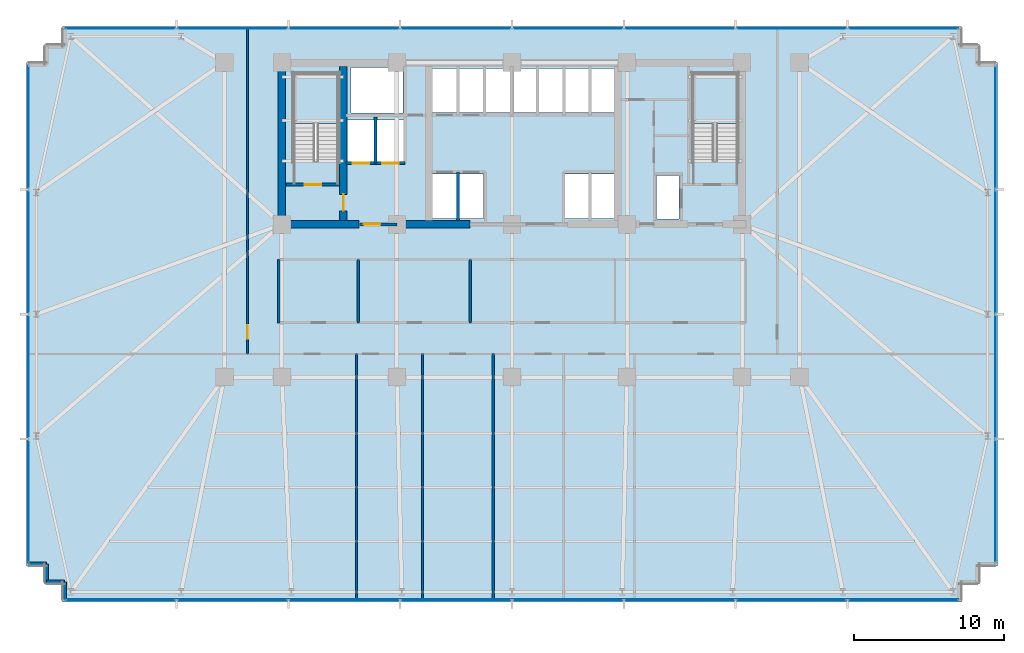
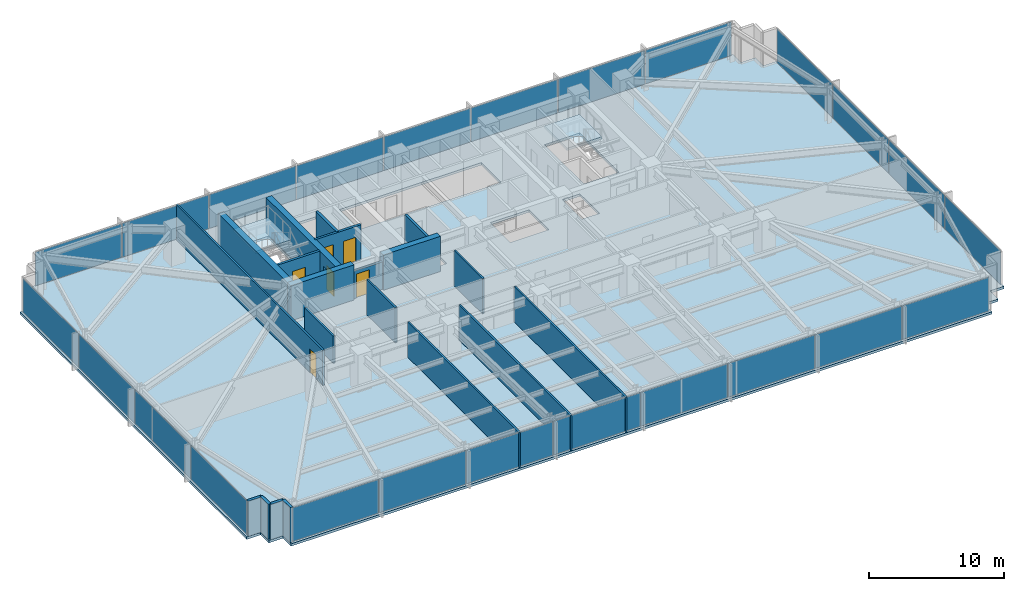
# One storey, part 24 of 32: 24 plates, 20 walls, 6 doors, 3 slabs, 6 openings, 6 elements without a shape of their own.
"""IFC4 building model written with IfcOpenShell, lengths in metres."""

from ifc_helpers import new_model, si_unit, direction, frame, frame_2d, origin, origin_2d, place, context, subcontext, project, spatial, polyline, rectangle, outline, extrude, material, layer, layer_set, type_object, element, fill, aggregate, save


model = new_model("IFC4")

# Units and contexts
model_context = context("Model", 3, precision=1e-05, world=origin(), true_north=direction((0.0, 1.0)))
body_context = subcontext(model_context, "Body", "Model", "MODEL_VIEW")
ifc_project = project(units=[si_unit("LENGTHUNIT", "METRE"), si_unit("AREAUNIT", "SQUARE_METRE"), si_unit("VOLUMEUNIT", "CUBIC_METRE"), si_unit("PLANEANGLEUNIT", "RADIAN"), si_unit("MASSUNIT", "GRAM", prefix="KILO")], contexts=[model_context])

# Site, building, storey
site_placement = place(None, origin())
site = spatial("IfcSite", under=ifc_project, at=site_placement, CompositionType="ELEMENT")
building_placement = place(site_placement, origin())
building = spatial("IfcBuilding", under=site, at=building_placement, Name="Yelkora Congress Tower", CompositionType="ELEMENT")
storey_placement = place(building_placement, frame((0.0, 0.0, 57.60009765625)))
storey = spatial("IfcBuildingStorey", under=building, at=storey_placement, Name="L14", CompositionType="ELEMENT", Elevation=57.60009765625)

# Curtain wall, plates
ifc_material_1 = material(Name="Anodised aluminium and insulated glass", Category="aluminium")
curtain_wall_type = type_object("IfcCurtainWallType", Name="CW-SYS-B1", PredefinedType="NOTDEFINED", material=ifc_material_1)
curtain_wall_1_placement = place(storey_placement, origin())
curtain_wall_1 = element("IfcCurtainWall", 1, at=curtain_wall_1_placement, inside=storey, type_object=curtain_wall_type, Name="L14 Unitised Curtain Wall 5", PredefinedType="NOTDEFINED")
ifc_material_2 = material(Name="Solar-control low-E glass unit B1", Category="glass")
ifc_layer_1 = layer(ifc_material_2, 0.0400390625)
ifc_layer_set_1 = layer_set([ifc_layer_1], Name="Solar-control low-E glass unit B1")
plate_type = type_object("IfcPlateType", Name="PLT-PN-B1", PredefinedType="CURTAIN_PANEL", material=ifc_layer_set_1)
plate_1_placement = place(storey_placement, frame((6.139892578125, 16.923828125, 0.06494140625), z_axis=(0.0, 0.0, 1.0), x_axis=(0.0, 1.0, 0.0)))
plate_1 = element("IfcPlate", 2, at=plate_1_placement, type_object=plate_type, Name="CW-B1 panel 1.1", PredefinedType="CURTAIN_PANEL", context=body_context, shape_type="SweptSolid", body=[
    extrude(rectangle(XDim=8.217529296875, YDim=0.0400390625, at=origin_2d()), origin(), (0.0, 0.0, 1.0), 3.050048828125),
])
plate_2_placement = place(storey_placement, frame((6.139892578125, 25.235107421875, 0.06494140625), z_axis=(0.0, 0.0, 1.0), x_axis=(0.0, 1.0, 0.0)))
plate_2 = element("IfcPlate", 3, at=plate_2_placement, type_object=plate_type, Name="CW-B1 panel 2.1", PredefinedType="CURTAIN_PANEL", context=body_context, shape_type="SweptSolid", body=[
    extrude(rectangle(XDim=8.2548828125, YDim=0.0400390625, at=origin_2d()), origin(), (0.0, 0.0, 1.0), 3.050048828125),
])
plate_3_placement = place(storey_placement, frame((6.139892578125, 33.56494140625, 0.06494140625), z_axis=(0.0, 0.0, 1.0), x_axis=(0.0, 1.0, 0.0)))
plate_3 = element("IfcPlate", 4, at=plate_3_placement, type_object=plate_type, Name="CW-B1 panel 3.1", PredefinedType="CURTAIN_PANEL", context=body_context, shape_type="SweptSolid", body=[
    extrude(rectangle(XDim=8.2548828125, YDim=0.0400390625, at=origin_2d()), origin(), (0.0, 0.0, 1.0), 3.050048828125),
])
plate_4_placement = place(storey_placement, frame((6.139892578125, 41.876220703125, 0.06494140625), z_axis=(0.0, 0.0, 1.0), x_axis=(0.0, 1.0, 0.0)))
plate_4 = element("IfcPlate", 5, at=plate_4_placement, type_object=plate_type, Name="CW-B1 panel 4.1", PredefinedType="CURTAIN_PANEL", context=body_context, shape_type="SweptSolid", body=[
    extrude(rectangle(XDim=8.217529296875, YDim=0.0400390625, at=origin_2d()), origin(), (0.0, 0.0, 1.0), 3.050048828125),
])
aggregate(curtain_wall_1, [plate_1, plate_2, plate_3, plate_4])

curtain_wall_2_placement = place(storey_placement, origin())
curtain_wall_2 = element("IfcCurtainWall", 6, at=curtain_wall_2_placement, inside=storey, type_object=curtain_wall_type, Name="L14 Unitised Curtain Wall 10", PredefinedType="NOTDEFINED")
plate_5_placement = place(storey_placement, frame((12.291259765625, 48.4599609375, 0.06494140625), z_axis=(0.0, 0.0, 1.0), x_axis=(1.0, 0.0, 0.0)))
plate_5 = element("IfcPlate", 7, at=plate_5_placement, type_object=plate_type, Name="CW-B1 panel 1.1", PredefinedType="CURTAIN_PANEL", context=body_context, shape_type="SweptSolid", body=[
    extrude(rectangle(XDim=7.3525390625, YDim=0.0400390625, at=origin_2d()), origin(), (0.0, 0.0, 1.0), 3.050048828125),
])
plate_6_placement = place(storey_placement, frame((19.737548828125, 48.4599609375, 0.06494140625), z_axis=(0.0, 0.0, 1.0), x_axis=(1.0, 0.0, 0.0)))
plate_6 = element("IfcPlate", 8, at=plate_6_placement, type_object=plate_type, Name="CW-B1 panel 2.1", PredefinedType="CURTAIN_PANEL", context=body_context, shape_type="SweptSolid", body=[
    extrude(rectangle(XDim=7.389892578125, YDim=0.0400390625, at=origin_2d()), origin(), (0.0, 0.0, 1.0), 3.050048828125),
])
plate_7_placement = place(storey_placement, frame((27.202392578125, 48.4599609375, 0.06494140625), z_axis=(0.0, 0.0, 1.0), x_axis=(1.0, 0.0, 0.0)))
plate_7 = element("IfcPlate", 9, at=plate_7_placement, type_object=plate_type, Name="CW-B1 panel 3.1", PredefinedType="CURTAIN_PANEL", context=body_context, shape_type="SweptSolid", body=[
    extrude(rectangle(XDim=7.389892578125, YDim=0.0400390625, at=origin_2d()), origin(), (0.0, 0.0, 1.0), 3.050048828125),
])
plate_8_placement = place(storey_placement, frame((34.66748046875, 48.4599609375, 0.06494140625), z_axis=(0.0, 0.0, 1.0), x_axis=(1.0, 0.0, 0.0)))
plate_8 = element("IfcPlate", 10, at=plate_8_placement, type_object=plate_type, Name="CW-B1 panel 4.1", PredefinedType="CURTAIN_PANEL", context=body_context, shape_type="SweptSolid", body=[
    extrude(rectangle(XDim=7.389892578125, YDim=0.0400390625, at=origin_2d()), origin(), (0.0, 0.0, 1.0), 3.050048828125),
])
plate_9_placement = place(storey_placement, frame((42.132568359375, 48.4599609375, 0.06494140625), z_axis=(0.0, 0.0, 1.0), x_axis=(1.0, 0.0, 0.0)))
plate_9 = element("IfcPlate", 11, at=plate_9_placement, type_object=plate_type, Name="CW-B1 panel 5.1", PredefinedType="CURTAIN_PANEL", context=body_context, shape_type="SweptSolid", body=[
    extrude(rectangle(XDim=7.389892578125, YDim=0.0400390625, at=origin_2d()), origin(), (0.0, 0.0, 1.0), 3.050048828125),
])
plate_10_placement = place(storey_placement, frame((49.597412109375, 48.4599609375, 0.06494140625), z_axis=(0.0, 0.0, 1.0), x_axis=(1.0, 0.0, 0.0)))
plate_10 = element("IfcPlate", 12, at=plate_10_placement, type_object=plate_type, Name="CW-B1 panel 6.1", PredefinedType="CURTAIN_PANEL", context=body_context, shape_type="SweptSolid", body=[
    extrude(rectangle(XDim=7.389892578125, YDim=0.0400390625, at=origin_2d()), origin(), (0.0, 0.0, 1.0), 3.050048828125),
])
plate_11_placement = place(storey_placement, frame((57.0625, 48.4599609375, 0.06494140625), z_axis=(0.0, 0.0, 1.0), x_axis=(1.0, 0.0, 0.0)))
plate_11 = element("IfcPlate", 13, at=plate_11_placement, type_object=plate_type, Name="CW-B1 panel 7.1", PredefinedType="CURTAIN_PANEL", context=body_context, shape_type="SweptSolid", body=[
    extrude(rectangle(XDim=7.389892578125, YDim=0.0400390625, at=origin_2d()), origin(), (0.0, 0.0, 1.0), 3.050048828125),
])
plate_12_placement = place(storey_placement, frame((64.5087890625, 48.4599609375, 0.06494140625), z_axis=(0.0, 0.0, 1.0), x_axis=(1.0, 0.0, 0.0)))
plate_12 = element("IfcPlate", 14, at=plate_12_placement, type_object=plate_type, Name="CW-B1 panel 8.1", PredefinedType="CURTAIN_PANEL", context=body_context, shape_type="SweptSolid", body=[
    extrude(rectangle(XDim=7.3525390625, YDim=0.0400390625, at=origin_2d()), origin(), (0.0, 0.0, 1.0), 3.050048828125),
])
aggregate(curtain_wall_2, [plate_5, plate_6, plate_7, plate_8, plate_9, plate_10, plate_11, plate_12])

curtain_wall_3_placement = place(storey_placement, origin())
curtain_wall_3 = element("IfcCurtainWall", 15, at=curtain_wall_3_placement, inside=storey, type_object=curtain_wall_type, Name="L14 Unitised Curtain Wall 15", PredefinedType="NOTDEFINED")
plate_13_placement = place(storey_placement, frame((70.659912109375, 41.876220703125, 0.06494140625), z_axis=(0.0, 0.0, 1.0), x_axis=(0.0, -1.0, 0.0)))
plate_13 = element("IfcPlate", 16, at=plate_13_placement, type_object=plate_type, Name="CW-B1 panel 1.1", PredefinedType="CURTAIN_PANEL", context=body_context, shape_type="SweptSolid", body=[
    extrude(rectangle(XDim=8.217529296875, YDim=0.0400390625, at=origin_2d()), origin(), (0.0, 0.0, 1.0), 3.050048828125),
])
plate_14_placement = place(storey_placement, frame((70.659912109375, 33.56494140625, 0.06494140625), z_axis=(0.0, 0.0, 1.0), x_axis=(0.0, -1.0, 0.0)))
plate_14 = element("IfcPlate", 17, at=plate_14_placement, type_object=plate_type, Name="CW-B1 panel 2.1", PredefinedType="CURTAIN_PANEL", context=body_context, shape_type="SweptSolid", body=[
    extrude(rectangle(XDim=8.2548828125, YDim=0.0400390625, at=origin_2d()), origin(), (0.0, 0.0, 1.0), 3.050048828125),
])
plate_15_placement = place(storey_placement, frame((70.659912109375, 25.235107421875, 0.06494140625), z_axis=(0.0, 0.0, 1.0), x_axis=(0.0, -1.0, 0.0)))
plate_15 = element("IfcPlate", 18, at=plate_15_placement, type_object=plate_type, Name="CW-B1 panel 3.1", PredefinedType="CURTAIN_PANEL", context=body_context, shape_type="SweptSolid", body=[
    extrude(rectangle(XDim=8.2548828125, YDim=0.0400390625, at=origin_2d()), origin(), (0.0, 0.0, 1.0), 3.050048828125),
])
plate_16_placement = place(storey_placement, frame((70.659912109375, 16.923828125, 0.06494140625), z_axis=(0.0, 0.0, 1.0), x_axis=(0.0, -1.0, 0.0)))
plate_16 = element("IfcPlate", 19, at=plate_16_placement, type_object=plate_type, Name="CW-B1 panel 4.1", PredefinedType="CURTAIN_PANEL", context=body_context, shape_type="SweptSolid", body=[
    extrude(rectangle(XDim=8.217529296875, YDim=0.0400390625, at=origin_2d()), origin(), (0.0, 0.0, 1.0), 3.050048828125),
])
aggregate(curtain_wall_3, [plate_13, plate_14, plate_15, plate_16])

curtain_wall_4_placement = place(storey_placement, origin())
curtain_wall_4 = element("IfcCurtainWall", 20, at=curtain_wall_4_placement, inside=storey, type_object=curtain_wall_type, Name="L14 Unitised Curtain Wall 20", PredefinedType="NOTDEFINED")
plate_17_placement = place(storey_placement, frame((64.5087890625, 10.340087890625, 0.06494140625), z_axis=(0.0, 0.0, 1.0), x_axis=(-1.0, 0.0, 0.0)))
plate_17 = element("IfcPlate", 21, at=plate_17_placement, type_object=plate_type, Name="CW-B1 panel 1.1", PredefinedType="CURTAIN_PANEL", context=body_context, shape_type="SweptSolid", body=[
    extrude(rectangle(XDim=7.3525390625, YDim=0.0400390625, at=origin_2d()), origin(), (0.0, 0.0, 1.0), 3.050048828125),
])
plate_18_placement = place(storey_placement, frame((57.0625, 10.340087890625, 0.06494140625), z_axis=(0.0, 0.0, 1.0), x_axis=(-1.0, 0.0, 0.0)))
plate_18 = element("IfcPlate", 22, at=plate_18_placement, type_object=plate_type, Name="CW-B1 panel 2.1", PredefinedType="CURTAIN_PANEL", context=body_context, shape_type="SweptSolid", body=[
    extrude(rectangle(XDim=7.389892578125, YDim=0.0400390625, at=origin_2d()), origin(), (0.0, 0.0, 1.0), 3.050048828125),
])
plate_19_placement = place(storey_placement, frame((49.597412109375, 10.340087890625, 0.06494140625), z_axis=(0.0, 0.0, 1.0), x_axis=(-1.0, 0.0, 0.0)))
plate_19 = element("IfcPlate", 23, at=plate_19_placement, type_object=plate_type, Name="CW-B1 panel 3.1", PredefinedType="CURTAIN_PANEL", context=body_context, shape_type="SweptSolid", body=[
    extrude(rectangle(XDim=7.389892578125, YDim=0.0400390625, at=origin_2d()), origin(), (0.0, 0.0, 1.0), 3.050048828125),
])
plate_20_placement = place(storey_placement, frame((42.132568359375, 10.340087890625, 0.06494140625), z_axis=(0.0, 0.0, 1.0), x_axis=(-1.0, 0.0, 0.0)))
plate_20 = element("IfcPlate", 24, at=plate_20_placement, type_object=plate_type, Name="CW-B1 panel 4.1", PredefinedType="CURTAIN_PANEL", context=body_context, shape_type="SweptSolid", body=[
    extrude(rectangle(XDim=7.389892578125, YDim=0.0400390625, at=origin_2d()), origin(), (0.0, 0.0, 1.0), 3.050048828125),
])
plate_21_placement = place(storey_placement, frame((34.66748046875, 10.340087890625, 0.06494140625), z_axis=(0.0, 0.0, 1.0), x_axis=(-1.0, 0.0, 0.0)))
plate_21 = element("IfcPlate", 25, at=plate_21_placement, type_object=plate_type, Name="CW-B1 panel 5.1", PredefinedType="CURTAIN_PANEL", context=body_context, shape_type="SweptSolid", body=[
    extrude(rectangle(XDim=7.389892578125, YDim=0.0400390625, at=origin_2d()), origin(), (0.0, 0.0, 1.0), 3.050048828125),
])
plate_22_placement = place(storey_placement, frame((27.202392578125, 10.340087890625, 0.06494140625), z_axis=(0.0, 0.0, 1.0), x_axis=(-1.0, 0.0, 0.0)))
plate_22 = element("IfcPlate", 26, at=plate_22_placement, type_object=plate_type, Name="CW-B1 panel 6.1", PredefinedType="CURTAIN_PANEL", context=body_context, shape_type="SweptSolid", body=[
    extrude(rectangle(XDim=7.389892578125, YDim=0.0400390625, at=origin_2d()), origin(), (0.0, 0.0, 1.0), 3.050048828125),
])
plate_23_placement = place(storey_placement, frame((19.737548828125, 10.340087890625, 0.06494140625), z_axis=(0.0, 0.0, 1.0), x_axis=(-1.0, 0.0, 0.0)))
plate_23 = element("IfcPlate", 27, at=plate_23_placement, type_object=plate_type, Name="CW-B1 panel 7.1", PredefinedType="CURTAIN_PANEL", context=body_context, shape_type="SweptSolid", body=[
    extrude(rectangle(XDim=7.389892578125, YDim=0.0400390625, at=origin_2d()), origin(), (0.0, 0.0, 1.0), 3.050048828125),
])
plate_24_placement = place(storey_placement, frame((12.291259765625, 10.340087890625, 0.06494140625), z_axis=(0.0, 0.0, 1.0), x_axis=(-1.0, 0.0, 0.0)))
plate_24 = element("IfcPlate", 28, at=plate_24_placement, type_object=plate_type, Name="CW-B1 panel 8.1", PredefinedType="CURTAIN_PANEL", context=body_context, shape_type="SweptSolid", body=[
    extrude(rectangle(XDim=7.3525390625, YDim=0.0400390625, at=origin_2d()), origin(), (0.0, 0.0, 1.0), 3.050048828125),
])
aggregate(curtain_wall_4, [plate_17, plate_18, plate_19, plate_20, plate_21, plate_22, plate_23, plate_24])

# Stair, slab
ifc_material_3 = material(Name="Concrete C40/50", Category="concrete")
stair_type = type_object("IfcStairType", Name="STAIR-HT-1420-R20-170", PredefinedType="HALF_TURN_STAIR", material=ifc_material_3)
stair_1_placement = place(storey_placement, origin())
stair_1 = element("IfcStair", 29, at=stair_1_placement, inside=storey, type_object=stair_type, Name="West Core Protected Exit Stair ST-01 (L14)", PredefinedType="HALF_TURN_STAIR")
ifc_layer_2 = layer(ifc_material_3, 0.219970703125)
ifc_layer_set_2 = layer_set([ifc_layer_2], Name="Concrete C40/50")
slab_type_1 = type_object("IfcSlabType", Name="SLAB-LANDING-220", PredefinedType="LANDING", material=ifc_layer_set_2)
slab_1_placement = place(storey_placement, frame((0.0, 0.0, 1.47998046875)))
slab_1 = element("IfcSlab", 30, at=slab_1_placement, type_object=slab_type_1, Name="ST-01 L14 Half Landing 1", PredefinedType="LANDING", context=body_context, shape_type="SweptSolid", body=[
    extrude(outline(polyline([(26.820068359375, 42.1201171875), (26.820068359375, 45.469970703125), (23.820068359375, 45.469970703125), (23.820068359375, 42.1201171875), (26.820068359375, 42.1201171875)])), origin(), (0.0, 0.0, 1.0), 0.219970703125),
])
aggregate(stair_1, [slab_1])

stair_2_placement = place(storey_placement, origin())
stair_2 = element("IfcStair", 31, at=stair_2_placement, inside=storey, type_object=stair_type, Name="East Core Protected Exit Stair ST-02 (L14)", PredefinedType="HALF_TURN_STAIR")
slab_2_placement = place(storey_placement, frame((0.0, 0.0, 1.47998046875)))
slab_2 = element("IfcSlab", 32, at=slab_2_placement, type_object=slab_type_1, Name="ST-02 L14 Half Landing 1", PredefinedType="LANDING", context=body_context, shape_type="SweptSolid", body=[
    extrude(outline(polyline([(53.4599609375, 42.1201171875), (53.4599609375, 45.469970703125), (50.4599609375, 45.469970703125), (50.4599609375, 42.1201171875), (53.4599609375, 42.1201171875)])), origin(), (0.0, 0.0, 1.0), 0.219970703125),
])
aggregate(stair_2, [slab_2])

# Slab
ifc_layer_3 = layer(ifc_material_3, 0.219970703125)
ifc_layer_set_3 = layer_set([ifc_layer_3], Name="Concrete C40/50")
slab_type_2 = type_object("IfcSlabType", Name="SLAB-TWR-220", PredefinedType="FLOOR", material=ifc_layer_set_3)
slab_3_placement = place(storey_placement, frame((0.0, 0.0, -0.22021484375)))
element("IfcSlab", 33, at=slab_3_placement, inside=storey, type_object=slab_type_2, Name="L14 Structural Floor Slab", PredefinedType="FLOOR", context=body_context, shape_type="SweptSolid", body=[
    extrude(outline(polyline([(8.39990234375, 10.199951171875), (68.39990234375, 10.199951171875), (68.39990234375, 11.39990234375), (69.60009765625, 11.39990234375), (69.60009765625, 12.60009765625), (70.800048828125, 12.60009765625), (70.800048828125, 46.199951171875), (69.60009765625, 46.199951171875), (69.60009765625, 47.39990234375), (68.39990234375, 47.39990234375), (68.39990234375, 48.60009765625), (8.39990234375, 48.60009765625), (8.39990234375, 47.39990234375), (7.199951171875, 47.39990234375), (7.199951171875, 46.199951171875), (6.0, 46.199951171875), (6.0, 12.60009765625), (7.199951171875, 12.60009765625), (7.199951171875, 11.39990234375), (8.39990234375, 11.39990234375), (8.39990234375, 10.199951171875)]), holes=[polyline([(23.820068359375, 39.6298828125), (26.820068359375, 39.6298828125), (26.820068359375, 45.469970703125), (23.820068359375, 45.469970703125), (23.820068359375, 39.6298828125)]), polyline([(50.4599609375, 39.6298828125), (53.4599609375, 39.6298828125), (53.4599609375, 45.469970703125), (50.4599609375, 45.469970703125), (50.4599609375, 39.6298828125)]), polyline([(48.050048828125, 35.75), (49.550048828125, 35.75), (49.550048828125, 38.64990234375), (48.050048828125, 38.64990234375), (48.050048828125, 35.75)]), polyline([(41.949951171875, 35.800048828125), (45.25, 35.800048828125), (45.25, 38.75), (41.949951171875, 38.75), (41.949951171875, 35.800048828125)]), polyline([(33.10009765625, 42.85009765625), (45.25, 42.85009765625), (45.25, 45.800048828125), (33.10009765625, 45.800048828125), (33.10009765625, 42.85009765625)]), polyline([(33.10009765625, 35.800048828125), (36.5, 35.800048828125), (36.5, 38.75), (33.10009765625, 38.75), (33.10009765625, 35.800048828125)]), polyline([(27.419921875, 39.60009765625), (31.179931640625, 39.60009765625), (31.179931640625, 42.35009765625), (27.419921875, 42.35009765625), (27.419921875, 39.60009765625)]), polyline([(27.64990234375, 42.820068359375), (31.1201171875, 42.820068359375), (31.1201171875, 45.8798828125), (27.64990234375, 45.8798828125), (27.64990234375, 42.820068359375)])]), origin(), (0.0, 0.0, 1.0), 0.22021484375),
])

# Walls
ifc_material_4 = material(Name="Concrete C60/75", Category="concrete")
ifc_layer_4 = layer(ifc_material_4, 0.5)
ifc_layer_set_4 = layer_set([ifc_layer_4], Name="Concrete C60/75")
wall_type_1 = type_object("IfcWallType", Name="WALL-CORE-INT-500", PredefinedType="SHEAR", material=ifc_layer_set_4)
wall_1_placement = place(storey_placement, frame((22.7900390625, 35.39990234375, 0.0), z_axis=(0.0, 0.0, 1.0), x_axis=(1.0, 0.0, 0.0)))
element("IfcWall", 34, at=wall_1_placement, inside=storey, type_object=wall_type_1, Name="L14 Rear Core South-West Shear Wall", PredefinedType="SHEAR", context=body_context, shape_type="SweptSolid", body=[
    extrude(rectangle(XDim=5.409912109375, YDim=0.5, at=frame_2d((2.705078125, 0.0))), origin(), (0.0, 0.0, 1.0), 3.179931640625),
])
wall_2_placement = place(storey_placement, frame((30.719970703125, 35.39990234375, 0.0), z_axis=(0.0, 0.0, 1.0), x_axis=(1.0, 0.0, 0.0)))
element("IfcWall", 35, at=wall_2_placement, inside=storey, type_object=wall_type_1, Name="L14 Rear Core South-Center Shear Pier", PredefinedType="SHEAR", context=body_context, shape_type="SweptSolid", body=[
    extrude(rectangle(XDim=4.880126953125, YDim=0.5, at=frame_2d((2.43994140625, 0.0))), origin(), (0.0, 0.0, 1.0), 3.179931640625),
])
wall_3_placement = place(storey_placement, frame((23.0400390625, 35.64990234375, 0.0), z_axis=(0.0, 0.0, 1.0), x_axis=(0.0, 1.0, 0.0)))
element("IfcWall", 36, at=wall_3_placement, inside=storey, type_object=wall_type_1, Name="L14 Rear Core Cross Shear Wall W", PredefinedType="SHEAR", context=body_context, shape_type="SweptSolid", body=[
    extrude(rectangle(XDim=10.300048828125, YDim=0.5, at=frame_2d((5.14990234375, 0.0))), origin(), (0.0, 0.0, 1.0), 3.179931640625),
])

# Wall, opening, door
wall_4_placement = place(storey_placement, frame((27.14990234375, 35.64990234375, 0.0), z_axis=(0.0, 0.0, 1.0), x_axis=(0.0, 1.0, 0.0)))
wall_4 = element("IfcWall", 37, at=wall_4_placement, inside=storey, type_object=wall_type_1, Name="L14 Rear Core Cross Shear Wall C1", PredefinedType="SHEAR", context=body_context, shape_type="SweptSolid", body=[
    extrude(rectangle(XDim=10.300048828125, YDim=0.5, at=frame_2d((5.14990234375, 0.0))), origin(), (0.0, 0.0, 1.0), 3.179931640625),
])
opening_1_placement = place(wall_4_placement, frame((0.64990234375, 0.0, 0.0)))
opening_1 = element("IfcOpeningElement", 38, at=opening_1_placement, cuts=wall_4, Name="Opening DR-110F9", PredefinedType="OPENING", context=body_context, shape_type="SweptSolid", body=[
    extrude(rectangle(XDim=1.10009765625, YDim=2.14990234375, at=frame_2d((0.550048828125, 1.074951171875))), frame((0.0, 0.260009765625, 0.0), z_axis=(0.0, -1.0, 0.0), x_axis=(1.0, 0.0, 0.0)), (0.0, 0.0, 1.0), 0.52001953125),
])
ifc_material_5 = material(Name="Galvanised steel fire door leaf", Category="steel")
door_type_1 = type_object("IfcDoorType", Name="DOOR-FD90-1100", OperationType="NOTDEFINED", PredefinedType="DOOR", material=ifc_material_5)
door_1_placement = place(opening_1_placement, origin())
door_1 = element("IfcDoor", 39, at=door_1_placement, inside=storey, type_object=door_type_1, Name="L14 Firefighting Stair Transfer Door", OperationType="SINGLE_SWING_LEFT", OverallHeight=2.14990234375, OverallWidth=1.10009765625, PredefinedType="DOOR", context=body_context, shape_type="SweptSolid", body=[
    extrude(rectangle(XDim=1.10009765625, YDim=2.14990234375, at=frame_2d((0.550048828125, 1.074951171875))), frame((0.0, 0.02490234375, 0.0), z_axis=(0.0, -1.0, 0.0), x_axis=(1.0, 0.0, 0.0)), (0.0, 0.0, 1.0), 0.050048828125),
])
fill(opening_1, door_1)

# Walls
ifc_layer_5 = layer(ifc_material_3, 0.239990234375)
ifc_layer_set_5 = layer_set([ifc_layer_5], Name="Concrete C40/50")
wall_type_2 = type_object("IfcWallType", Name="WALL-EXT-LIMESTONE-240", PredefinedType="SOLIDWALL", material=ifc_layer_set_5)
for number, where, z_axis, x_axis, name in (
    (40, (8.5400390625, 10.340087890625, 0.0), (0.0, 0.0, 1.0), (0.0, 1.0, 0.0), "L14 Serrated Corner Limestone Pier 1"),
    (41, (8.5400390625, 11.5400390625, 0.0), (0.0, 0.0, 1.0), (-1.0, 0.0, 0.0), "L14 Serrated Corner Limestone Pier 2"),
    (42, (7.340087890625, 11.5400390625, 0.0), (0.0, 0.0, 1.0), (0.0, 1.0, 0.0), "L14 Serrated Corner Limestone Pier 3"),
):
    element("IfcWall", number, at=place(storey_placement, frame(where, z_axis=z_axis, x_axis=x_axis)), inside=storey, type_object=wall_type_2, Name=name, PredefinedType="SOLIDWALL", context=body_context, shape_type="SweptSolid", body=[
        extrude(rectangle(XDim=1.199951171875, YDim=0.239990234375, at=frame_2d((0.60009765625, 0.0))), origin(), (0.0, 0.0, 1.0), 3.179931640625),
    ])
wall_5_placement = place(storey_placement, frame((7.340087890625, 12.739990234375, 0.0), z_axis=(0.0, 0.0, 1.0), x_axis=(-1.0, 0.0, 0.0)))
element("IfcWall", 43, at=wall_5_placement, inside=storey, type_object=wall_type_2, Name="L14 Serrated Corner Limestone Pier 4", PredefinedType="SOLIDWALL", context=body_context, shape_type="SweptSolid", body=[
    extrude(rectangle(XDim=1.2001953125, YDim=0.239990234375, at=frame_2d((0.60009765625, 0.0))), origin(), (0.0, 0.0, 1.0), 3.179931640625),
])
ifc_material_6 = material(Name="Acoustic metal-stud gypsum partition", Category="gypsum")
ifc_layer_6 = layer(ifc_material_6, 0.14990234375)
ifc_layer_set_6 = layer_set([ifc_layer_6], Name="Acoustic metal-stud gypsum partition")
wall_type_3 = type_object("IfcWallType", Name="WALL-INT-150-NR", PredefinedType="PARTITIONING", material=ifc_layer_set_6)
for number, where, z_axis, x_axis, name in (
    (44, (28.02392578125, 10.280029296875, 0.0), (0.0, 0.0, 1.0), (0.0, 1.0, 0.0), "L14 Partition Wall 31"),
    (45, (32.427001953125, 10.280029296875, 0.0), (0.0, 0.0, 1.0), (0.0, 1.0, 0.0), "L14 Partition Wall 32"),
    (46, (37.14501953125, 10.280029296875, 0.0), (0.0, 0.0, 1.0), (0.0, 1.0, 0.0), "L14 Partition Wall 33"),
):
    element("IfcWall", number, at=place(storey_placement, frame(where, z_axis=z_axis, x_axis=x_axis)), inside=storey, type_object=wall_type_3, Name=name, PredefinedType="PARTITIONING", context=body_context, shape_type="SweptSolid", body=[
        extrude(rectangle(XDim=16.489990234375, YDim=0.14990234375, at=frame_2d((8.2451171875, 0.0))), origin(), (0.0, 0.0, 1.0), 3.179931640625),
    ])

# Wall, opening, door
wall_6_placement = place(storey_placement, frame((20.75, 26.75, 0.0), z_axis=(0.0, 0.0, 1.0), x_axis=(0.0, 1.0, 0.0)))
wall_6 = element("IfcWall", 47, at=wall_6_placement, inside=storey, type_object=wall_type_3, Name="L14 Partition Wall 37", PredefinedType="PARTITIONING", context=body_context, shape_type="SweptSolid", body=[
    extrude(rectangle(XDim=21.77001953125, YDim=0.14990234375, at=frame_2d((10.885009765625, 0.0))), origin(), (0.0, 0.0, 1.0), 3.179931640625),
])
opening_2_placement = place(wall_6_placement, frame((1.030029296875, 0.0, 0.0)))
opening_2 = element("IfcOpeningElement", 48, at=opening_2_placement, cuts=wall_6, Name="Opening DR-090N", PredefinedType="OPENING", context=body_context, shape_type="SweptSolid", body=[
    extrude(rectangle(XDim=0.89990234375, YDim=2.14990234375, at=frame_2d((0.449951171875, 1.074951171875))), frame((0.0, 0.0849609375, 0.0), z_axis=(0.0, -1.0, 0.0), x_axis=(1.0, 0.0, 0.0)), (0.0, 0.0, 1.0), 0.169921875),
])
ifc_material_7 = material(Name="Moisture-resistant laminate door leaf", Category="wood")
door_type_2 = type_object("IfcDoorType", Name="DOOR-INT-900", OperationType="NOTDEFINED", PredefinedType="DOOR", material=ifc_material_7)
door_2_placement = place(opening_2_placement, origin())
door_2 = element("IfcDoor", 49, at=door_2_placement, inside=storey, type_object=door_type_2, Name="L14 W Wing Door", OperationType="SINGLE_SWING_LEFT", OverallHeight=2.14990234375, OverallWidth=0.89990234375, PredefinedType="DOOR", context=body_context, shape_type="SweptSolid", body=[
    extrude(rectangle(XDim=0.89990234375, YDim=2.14990234375, at=frame_2d((0.449951171875, 1.074951171875))), frame((0.0, 0.02490234375, 0.0), z_axis=(0.0, -1.0, 0.0), x_axis=(1.0, 0.0, 0.0)), (0.0, 0.0, 1.0), 0.050048828125),
])
fill(opening_2, door_2)

# Walls
wall_7_placement = place(storey_placement, frame((22.830078125, 28.830078125, 0.0), z_axis=(0.0, 0.0, 1.0), x_axis=(0.0, 1.0, 0.0)))
element("IfcWall", 50, at=wall_7_placement, inside=storey, type_object=wall_type_3, Name="L14 Partition Wall 39", PredefinedType="PARTITIONING", context=body_context, shape_type="SweptSolid", body=[
    extrude(rectangle(XDim=4.219970703125, YDim=0.14990234375, at=frame_2d((2.10986328125, 0.0))), origin(), (0.0, 0.0, 1.0), 2.474853515625),
])
for number, where, z_axis, x_axis, name in (
    (51, (28.138916015625, 28.830078125, 0.0), (0.0, 0.0, 1.0), (0.0, 1.0, 0.0), "L14 Partition Wall 42"),
    (52, (35.6201171875, 28.830078125, 0.0), (0.0, 0.0, 1.0), (0.0, 1.0, 0.0), "L14 Partition Wall 43"),
):
    element("IfcWall", number, at=place(storey_placement, frame(where, z_axis=z_axis, x_axis=x_axis)), inside=storey, type_object=wall_type_3, Name=name, PredefinedType="PARTITIONING", context=body_context, shape_type="SweptSolid", body=[
        extrude(rectangle(XDim=4.219970703125, YDim=0.14990234375, at=frame_2d((2.10986328125, 0.0))), origin(), (0.0, 0.0, 1.0), 3.179931640625),
    ])

# Wall, opening, door
ifc_material_8 = material(Name="Autoclaved aerated concrete blockwork", Category="masonry")
ifc_layer_7 = layer(ifc_material_8, 0.199951171875)
ifc_layer_set_7 = layer_set([ifc_layer_7], Name="Autoclaved aerated concrete blockwork")
wall_type_4 = type_object("IfcWallType", Name="WALL-INT-200-R120", PredefinedType="PARTITIONING", material=ifc_layer_set_7)
wall_8_placement = place(storey_placement, frame((23.300048828125, 38.050048828125, 0.0), z_axis=(0.0, 0.0, 1.0), x_axis=(1.0, 0.0, 0.0)))
wall_8 = element("IfcWall", 53, at=wall_8_placement, inside=storey, type_object=wall_type_4, Name="L14 Stair ST-01 Enclosure Wall", PredefinedType="PARTITIONING", context=body_context, shape_type="SweptSolid", body=[
    extrude(rectangle(XDim=3.619873046875, YDim=0.199951171875, at=frame_2d((1.81005859375, 0.0))), origin(), (0.0, 0.0, 1.0), 3.179931640625),
])
opening_3_placement = place(wall_8_placement, frame((1.260009765625, 0.0, 0.0)))
opening_3 = element("IfcOpeningElement", 54, at=opening_3_placement, cuts=wall_8, Name="Opening DR-110F9", PredefinedType="OPENING", context=body_context, shape_type="SweptSolid", body=[
    extrude(rectangle(XDim=1.10009765625, YDim=2.14990234375, at=frame_2d((0.550048828125, 1.074951171875))), frame((0.0, 0.10986328125, 0.0), z_axis=(0.0, -1.0, 0.0), x_axis=(1.0, 0.0, 0.0)), (0.0, 0.0, 1.0), 0.219970703125),
])
door_3_placement = place(opening_3_placement, origin())
door_3 = element("IfcDoor", 55, at=door_3_placement, inside=storey, type_object=door_type_1, Name="L14 Stair ST-01 Entry Door", OperationType="SINGLE_SWING_LEFT", OverallHeight=2.14990234375, OverallWidth=1.10009765625, PredefinedType="DOOR", context=body_context, shape_type="SweptSolid", body=[
    extrude(rectangle(XDim=1.10009765625, YDim=2.14990234375, at=frame_2d((0.550048828125, 1.074951171875))), frame((0.0, 0.02490234375, 0.0), z_axis=(0.0, -1.0, 0.0), x_axis=(1.0, 0.0, 0.0)), (0.0, 0.0, 1.0), 0.050048828125),
])
fill(opening_3, door_3)

wall_9_placement = place(storey_placement, frame((28.219970703125, 35.39990234375, 0.0), z_axis=(0.0, 0.0, 1.0), x_axis=(1.0, 0.0, 0.0)))
wall_9 = element("IfcWall", 56, at=wall_9_placement, inside=storey, type_object=wall_type_4, Name="L14 Firefighting Lobby South Wall", PredefinedType="PARTITIONING", context=body_context, shape_type="SweptSolid", body=[
    extrude(rectangle(XDim=2.5, YDim=0.199951171875, at=frame_2d((1.25, 0.0))), origin(), (0.0, 0.0, 1.0), 2.474853515625),
])
opening_4_placement = place(wall_9_placement, frame((0.300048828125, 0.0, 0.0)))
opening_4 = element("IfcOpeningElement", 57, at=opening_4_placement, cuts=wall_9, Name="Opening DR-110F9", PredefinedType="OPENING", context=body_context, shape_type="SweptSolid", body=[
    extrude(rectangle(XDim=1.10009765625, YDim=2.14990234375, at=frame_2d((0.550048828125, 1.074951171875))), frame((0.0, 0.10986328125, 0.0), z_axis=(0.0, -1.0, 0.0), x_axis=(1.0, 0.0, 0.0)), (0.0, 0.0, 1.0), 0.219970703125),
])
door_4_placement = place(opening_4_placement, origin())
door_4 = element("IfcDoor", 58, at=door_4_placement, inside=storey, type_object=door_type_1, Name="L14 Firefighting Lobby Corridor Door", OperationType="SINGLE_SWING_RIGHT", OverallHeight=2.14990234375, OverallWidth=1.10009765625, PredefinedType="DOOR", context=body_context, shape_type="SweptSolid", body=[
    extrude(rectangle(XDim=1.10009765625, YDim=2.14990234375, at=frame_2d((0.550048828125, 1.074951171875))), frame((0.0, 0.02490234375, 0.0), z_axis=(0.0, -1.0, 0.0), x_axis=(1.0, 0.0, 0.0)), (0.0, 0.0, 1.0), 0.050048828125),
])
fill(opening_4, door_4)

# Wall, openings, doors
wall_10_placement = place(storey_placement, frame((27.320068359375, 39.47998046875, 0.0), z_axis=(0.0, 0.0, 1.0), x_axis=(1.0, 0.0, 0.0)))
wall_10 = element("IfcWall", 59, at=wall_10_placement, inside=storey, type_object=wall_type_4, Name="L14 Firefighting Lift Front Wall", PredefinedType="PARTITIONING", context=body_context, shape_type="SweptSolid", body=[
    extrude(rectangle(XDim=3.93994140625, YDim=0.199951171875, at=frame_2d((1.969970703125, 0.0))), origin(), (0.0, 0.0, 1.0), 3.179931640625),
])
opening_5_placement = place(wall_10_placement, frame((0.449951171875, 0.0, 0.0)))
opening_5 = element("IfcOpeningElement", 60, at=opening_5_placement, cuts=wall_10, Name="Opening LD-FF11", PredefinedType="OPENING", context=body_context, shape_type="SweptSolid", body=[
    extrude(rectangle(XDim=1.10009765625, YDim=2.199951171875, at=frame_2d((0.550048828125, 1.10009765625))), frame((0.0, 0.10986328125, 0.0), z_axis=(0.0, -1.0, 0.0), x_axis=(1.0, 0.0, 0.0)), (0.0, 0.0, 1.0), 0.219970703125),
])
opening_6_placement = place(wall_10_placement, frame((2.409912109375, 0.0, 0.0)))
opening_6 = element("IfcOpeningElement", 61, at=opening_6_placement, cuts=wall_10, Name="Opening LD-FF11", PredefinedType="OPENING", context=body_context, shape_type="SweptSolid", body=[
    extrude(rectangle(XDim=1.10009765625, YDim=2.199951171875, at=frame_2d((0.550048828125, 1.10009765625))), frame((0.0, 0.10986328125, 0.0), z_axis=(0.0, -1.0, 0.0), x_axis=(1.0, 0.0, 0.0)), (0.0, 0.0, 1.0), 0.219970703125),
])
ifc_material_9 = material(Name="Brushed stainless steel 316L landing door", Category="steel")
door_type_3 = type_object("IfcDoorType", Name="DOOR-LIFT-FF-1100", OperationType="DOUBLE_DOOR_SLIDING", PredefinedType="DOOR", material=ifc_material_9)
door_5_placement = place(opening_5_placement, origin())
door_5 = element("IfcDoor", 62, at=door_5_placement, inside=storey, type_object=door_type_3, Name="Lift Landing Door LF-FF1 L14", OperationType="DOUBLE_DOOR_SLIDING", OverallHeight=2.199951171875, OverallWidth=1.10009765625, PredefinedType="DOOR", context=body_context, shape_type="SweptSolid", body=[
    extrude(rectangle(XDim=1.10009765625, YDim=2.199951171875, at=frame_2d((0.550048828125, 1.10009765625))), frame((0.0, 0.02490234375, 0.0), z_axis=(0.0, -1.0, 0.0), x_axis=(1.0, 0.0, 0.0)), (0.0, 0.0, 1.0), 0.050048828125),
])
fill(opening_5, door_5)
door_6_placement = place(opening_6_placement, origin())
door_6 = element("IfcDoor", 63, at=door_6_placement, inside=storey, type_object=door_type_3, Name="Lift Landing Door LF-FF2 L14", OperationType="DOUBLE_DOOR_SLIDING", OverallHeight=2.199951171875, OverallWidth=1.10009765625, PredefinedType="DOOR", context=body_context, shape_type="SweptSolid", body=[
    extrude(rectangle(XDim=1.10009765625, YDim=2.199951171875, at=frame_2d((0.550048828125, 1.10009765625))), frame((0.0, 0.02490234375, 0.0), z_axis=(0.0, -1.0, 0.0), x_axis=(1.0, 0.0, 0.0)), (0.0, 0.0, 1.0), 0.050048828125),
])
fill(opening_6, door_6)

# Walls
wall_11_placement = place(storey_placement, frame((29.300048828125, 39.47998046875, 0.0), z_axis=(0.0, 0.0, 1.0), x_axis=(0.0, 1.0, 0.0)))
element("IfcWall", 64, at=wall_11_placement, inside=storey, type_object=wall_type_4, Name="L14 Partition Wall 4", PredefinedType="PARTITIONING", context=body_context, shape_type="SweptSolid", body=[
    extrude(rectangle(XDim=3.070068359375, YDim=0.199951171875, at=frame_2d((1.53515625, 0.0))), origin(), (0.0, 0.0, 1.0), 3.179931640625),
])
wall_12_placement = place(storey_placement, frame((34.800048828125, 35.64990234375, 0.0), z_axis=(0.0, 0.0, 1.0), x_axis=(0.0, 1.0, 0.0)))
element("IfcWall", 65, at=wall_12_placement, inside=storey, type_object=wall_type_4, Name="L14 Partition Wall 13", PredefinedType="PARTITIONING", context=body_context, shape_type="SweptSolid", body=[
    extrude(rectangle(XDim=3.25, YDim=0.199951171875, at=frame_2d((1.625, 0.0))), origin(), (0.0, 0.0, 1.0), 3.179931640625),
])

save(model, "model.ifc")
